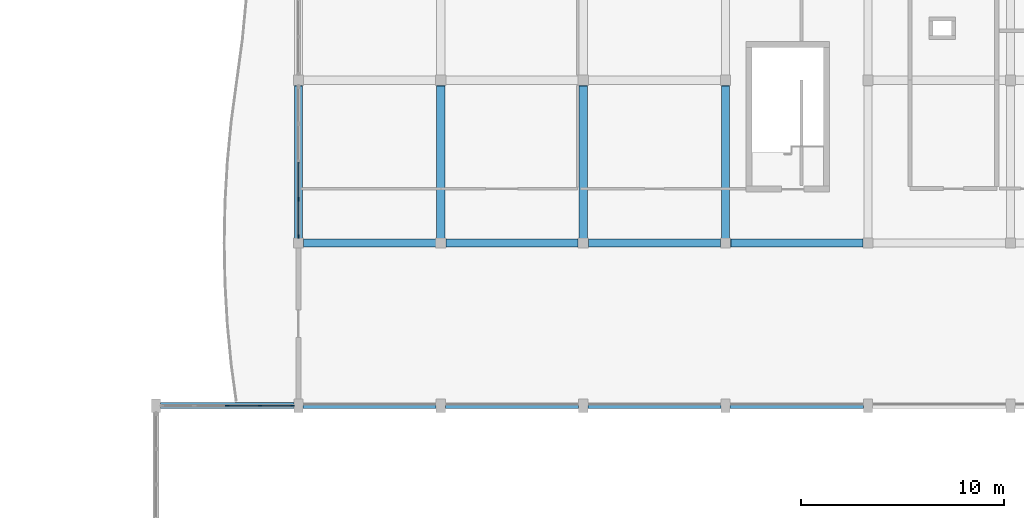
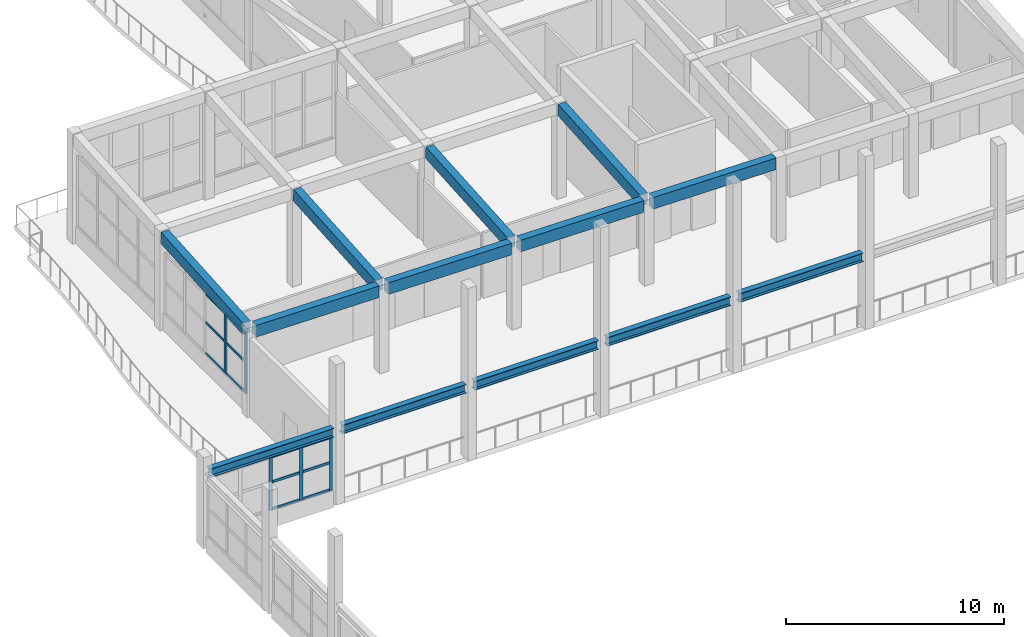
# One storey, part 31 of 89: 17 members, 13 beams, 2 elements without a shape of their own.
"""IFC4 building model written with IfcOpenShell, lengths in metres."""

from ifc_helpers import new_model, si_unit, direction, frame, origin, origin_2d, place, context, subcontext, project, spatial, rectangle, i_section, extrude, material, layer, layer_set, material_profile, profile_set, type_object, element, aggregate, save


model = new_model("IFC4")

# Units and contexts
model_context = context("Model", 3, precision=1e-05, world=origin(), true_north=direction((0.0, 1.0)))
body_context = subcontext(model_context, "Body", "Model", "MODEL_VIEW")
ifc_project = project(units=[si_unit("LENGTHUNIT", "METRE"), si_unit("AREAUNIT", "SQUARE_METRE"), si_unit("VOLUMEUNIT", "CUBIC_METRE"), si_unit("PLANEANGLEUNIT", "RADIAN"), si_unit("MASSUNIT", "GRAM", prefix="KILO")], contexts=[model_context])

# Site, building, storey
site_placement = place(None, origin())
site = spatial("IfcSite", under=ifc_project, at=site_placement, CompositionType="ELEMENT")
building_placement = place(site_placement, origin())
building = spatial("IfcBuilding", under=site, at=building_placement, Name="Tonlespit Floodbar School", CompositionType="ELEMENT")
storey_placement = place(building_placement, frame((0.0, 0.0, 4.5)))
storey = spatial("IfcBuildingStorey", under=building, at=storey_placement, Name="L01", CompositionType="ELEMENT", Elevation=4.5)

# Beams
ifc_material_1 = material(Name="Concrete C40/50", Category="concrete")
ifc_material_profile_1 = material_profile(ifc_material_1, rectangle(XDim=0.39990234375, YDim=0.64990234375, at=origin_2d()), Name="RC 400x650")
ifc_profile_set_1 = profile_set([ifc_material_profile_1], Name="Concrete C40/50")
beam_type_1 = type_object("IfcBeamType", Name="Beam_RC_400x650", PredefinedType="BEAM", material=ifc_profile_set_1)
for number, where, z_axis, x_axis, name in (
    (1, (134.25, 64.0, 4.6279296875), (0.999955916639, 0.0, -0.009389610095), (0.0, 1.0, 0.0), "L01 girder 0579"),
    (2, (141.25, 64.0, 4.56201171875), (0.999955916639, 0.0, -0.009389610095), (0.0, 1.0, 0.0), "L01 girder 0580"),
    (3, (148.25, 64.0, 4.496337890625), (0.999955563291, 0.0, -0.009427165204), (0.0, 1.0, 0.0), "L01 girder 0581"),
    (4, (155.25, 64.0, 4.430419921875), (0.999955563291, 0.0, -0.009427165204), (0.0, 1.0, 0.0), "L01 girder 0582"),
):
    element("IfcBeam", number, at=place(storey_placement, frame(where, z_axis=z_axis, x_axis=x_axis)), inside=storey, type_object=beam_type_1, Name=name, PredefinedType="BEAM", context=body_context, shape_type="SweptSolid", body=[
        extrude(rectangle(XDim=0.39990234375, YDim=0.64990234375, at=origin_2d()), origin(), (0.0, 0.0, 1.0), 6.500244140625),
    ])
for number, where, z_axis, x_axis, name in (
    (5, (134.0, 64.25, 4.648681640625), (0.0, 0.997333262526, 0.072981939263), (-1.0, 0.0, 0.0), "L01 girder 0746"),
    (6, (141.0, 64.25, 4.582763671875), (0.0, 0.997333262526, 0.072981939263), (-1.0, 0.0, 0.0), "L01 girder 0750"),
    (7, (148.0, 64.25, 4.516845703125), (0.0, 0.997333262526, 0.072981939263), (-1.0, 0.0, 0.0), "L01 girder 0754"),
    (8, (155.0, 64.25, 4.450927734375), (0.0, 0.997333262526, 0.072981939263), (-1.0, 0.0, 0.0), "L01 girder 0761"),
):
    element("IfcBeam", number, at=place(storey_placement, frame(where, z_axis=z_axis, x_axis=x_axis)), inside=storey, type_object=beam_type_1, Name=name, PredefinedType="BEAM", context=body_context, shape_type="SweptSolid", body=[
        extrude(rectangle(XDim=0.39990234375, YDim=0.64990234375, at=origin_2d()), origin(), (0.0, 0.0, 1.0), 7.52001953125),
    ])

# Curtain wall, members
ifc_material_2 = material(Name="Anodised Aluminium", Category="aluminium")
ifc_layer_1 = layer(ifc_material_2, 0.159912109375)
ifc_layer_set_1 = layer_set([ifc_layer_1], Name="Anodised Aluminium")
curtain_wall_type_1 = type_object("IfcCurtainWallType", Name="CurtainWall_6450x3000", PredefinedType="NOTDEFINED", material=ifc_layer_set_1)
curtain_wall_1_placement = place(storey_placement, origin())
curtain_wall_1 = element("IfcCurtainWall", 9, at=curtain_wall_1_placement, inside=storey, type_object=curtain_wall_type_1, Name="L01 unitised curtain wall 0331", PredefinedType="NOTDEFINED")
ifc_material_profile_2 = material_profile(ifc_material_2, rectangle(XDim=0.06494140625, YDim=0.179931640625, at=origin_2d()), Name="ALU M65x180")
ifc_profile_set_2 = profile_set([ifc_material_profile_2], Name="Anodised Aluminium")
member_type_1 = type_object("IfcMemberType", Name="CW_Mullion_65x180", PredefinedType="MULLION", material=ifc_profile_set_2)
member_1_placement = place(storey_placement, frame((130.5, 56.0, 0.68994140625), z_axis=(0.0, 0.0, 1.0), x_axis=(0.0, 1.0, 0.0)))
member_1 = element("IfcMember", 10, at=member_1_placement, type_object=member_type_1, Name="CW-49 mullion 3", PredefinedType="MULLION", context=body_context, shape_type="SweptSolid", body=[
    extrude(rectangle(XDim=0.06494140625, YDim=0.179931640625, at=origin_2d()), origin(), (0.0, 0.0, 1.0), 2.989990234375),
])
member_2_placement = place(storey_placement, frame((132.117431640625, 56.0, 0.68994140625), z_axis=(0.0, 0.0, 1.0), x_axis=(0.0, 1.0, 0.0)))
member_2 = element("IfcMember", 11, at=member_2_placement, type_object=member_type_1, Name="CW-49 mullion 4", PredefinedType="MULLION", context=body_context, shape_type="SweptSolid", body=[
    extrude(rectangle(XDim=0.06494140625, YDim=0.179931640625, at=origin_2d()), origin(), (0.0, 0.0, 1.0), 2.989990234375),
])
member_3_placement = place(storey_placement, frame((133.702392578125, 56.0, 0.68994140625), z_axis=(0.0, 0.0, 1.0), x_axis=(0.0, 1.0, 0.0)))
member_3 = element("IfcMember", 12, at=member_3_placement, type_object=member_type_1, Name="CW-49 mullion 5", PredefinedType="MULLION", context=body_context, shape_type="SweptSolid", body=[
    extrude(rectangle(XDim=0.06494140625, YDim=0.179931640625, at=origin_2d()), origin(), (0.0, 0.0, 1.0), 2.989990234375),
])

ifc_layer_2 = layer(ifc_material_2, 0.159912109375)
ifc_layer_set_2 = layer_set([ifc_layer_2], Name="Anodised Aluminium")
curtain_wall_type_2 = type_object("IfcCurtainWallType", Name="CurtainWall_7400x3350", PredefinedType="NOTDEFINED", material=ifc_layer_set_2)
curtain_wall_2_placement = place(storey_placement, origin())
curtain_wall_2 = element("IfcCurtainWall", 13, at=curtain_wall_2_placement, inside=storey, type_object=curtain_wall_type_2, Name="L01 unitised curtain wall 0335", PredefinedType="NOTDEFINED")
member_4_placement = place(storey_placement, frame((134.0, 64.322509765625, 0.949951171875), z_axis=(0.0, 0.0, 1.0), x_axis=(-1.0, 0.0, 0.0)))
member_4 = element("IfcMember", 14, at=member_4_placement, type_object=member_type_1, Name="CW-54 mullion 1", PredefinedType="MULLION", context=body_context, shape_type="SweptSolid", body=[
    extrude(rectangle(XDim=0.06494140625, YDim=0.179931640625, at=origin_2d()), origin(), (0.0, 0.0, 1.0), 3.373779296875),
])
member_5_placement = place(storey_placement, frame((134.0, 66.14501953125, 0.949951171875), z_axis=(0.0, 0.0, 1.0), x_axis=(-1.0, 0.0, 0.0)))
member_5 = element("IfcMember", 15, at=member_5_placement, type_object=member_type_1, Name="CW-54 mullion 2", PredefinedType="MULLION", context=body_context, shape_type="SweptSolid", body=[
    extrude(rectangle(XDim=0.06494140625, YDim=0.179931640625, at=origin_2d()), origin(), (0.0, 0.0, 1.0), 3.373779296875),
])

# Member
ifc_material_profile_3 = material_profile(ifc_material_2, rectangle(XDim=0.06494140625, YDim=0.139892578125, at=origin_2d()), Name="ALU T65x140")
ifc_profile_set_3 = profile_set([ifc_material_profile_3], Name="Anodised Aluminium")
member_type_2 = type_object("IfcMemberType", Name="CW_Transom_65x140", PredefinedType="USERDEFINED", material=ifc_profile_set_3)
member_6_placement = place(storey_placement, frame((130.532470703125, 56.0, 0.722412109375), z_axis=(1.0, 0.0, 0.0), x_axis=(0.0, 1.0, 0.0)))
member_6 = element("IfcMember", 16, at=member_6_placement, type_object=member_type_2, Name="CW-49 transom 3.1", ObjectType="TRANSOM", PredefinedType="USERDEFINED", context=body_context, shape_type="SweptSolid", body=[
    extrude(rectangle(XDim=0.06494140625, YDim=0.139892578125, at=origin_2d()), origin(), (0.0, 0.0, 1.0), 1.552490234375),
])

member_7_placement = place(storey_placement, frame((130.532470703125, 56.0, 2.244873046875), z_axis=(1.0, 0.0, 0.0), x_axis=(0.0, 1.0, 0.0)))
member_7 = element("IfcMember", 17, at=member_7_placement, type_object=member_type_2, Name="CW-49 transom 3.2", ObjectType="TRANSOM", PredefinedType="USERDEFINED", context=body_context, shape_type="SweptSolid", body=[
    extrude(rectangle(XDim=0.06494140625, YDim=0.139892578125, at=origin_2d()), origin(), (0.0, 0.0, 1.0), 1.552490234375),
])

member_8_placement = place(storey_placement, frame((130.532470703125, 56.0, 3.6474609375), z_axis=(1.0, 0.0, 0.0), x_axis=(0.0, 1.0, 0.0)))
member_8 = element("IfcMember", 18, at=member_8_placement, type_object=member_type_2, Name="CW-49 transom 3.3", ObjectType="TRANSOM", PredefinedType="USERDEFINED", context=body_context, shape_type="SweptSolid", body=[
    extrude(rectangle(XDim=0.06494140625, YDim=0.139892578125, at=origin_2d()), origin(), (0.0, 0.0, 1.0), 1.552490234375),
])

member_9_placement = place(storey_placement, frame((132.14990234375, 56.0, 0.722412109375), z_axis=(1.0, 0.0, 0.0), x_axis=(0.0, 1.0, 0.0)))
member_9 = element("IfcMember", 19, at=member_9_placement, type_object=member_type_2, Name="CW-49 transom 4.1", ObjectType="TRANSOM", PredefinedType="USERDEFINED", context=body_context, shape_type="SweptSolid", body=[
    extrude(rectangle(XDim=0.06494140625, YDim=0.139892578125, at=origin_2d()), origin(), (0.0, 0.0, 1.0), 1.52001953125),
])

member_10_placement = place(storey_placement, frame((132.14990234375, 56.0, 2.244873046875), z_axis=(1.0, 0.0, 0.0), x_axis=(0.0, 1.0, 0.0)))
member_10 = element("IfcMember", 20, at=member_10_placement, type_object=member_type_2, Name="CW-49 transom 4.2", ObjectType="TRANSOM", PredefinedType="USERDEFINED", context=body_context, shape_type="SweptSolid", body=[
    extrude(rectangle(XDim=0.06494140625, YDim=0.139892578125, at=origin_2d()), origin(), (0.0, 0.0, 1.0), 1.52001953125),
])

member_11_placement = place(storey_placement, frame((132.14990234375, 56.0, 3.6474609375), z_axis=(1.0, 0.0, 0.0), x_axis=(0.0, 1.0, 0.0)))
member_11 = element("IfcMember", 21, at=member_11_placement, type_object=member_type_2, Name="CW-49 transom 4.3", ObjectType="TRANSOM", PredefinedType="USERDEFINED", context=body_context, shape_type="SweptSolid", body=[
    extrude(rectangle(XDim=0.06494140625, YDim=0.139892578125, at=origin_2d()), origin(), (0.0, 0.0, 1.0), 1.52001953125),
])

aggregate(curtain_wall_1, [member_1, member_2, member_3, member_6, member_7, member_8, member_9, member_10, member_11])

member_12_placement = place(storey_placement, frame((134.0, 64.35498046875, 0.982421875), z_axis=(0.0, 1.0, 0.0), x_axis=(-1.0, 0.0, 0.0)))
member_12 = element("IfcMember", 22, at=member_12_placement, type_object=member_type_2, Name="CW-54 transom 1.1", ObjectType="TRANSOM", PredefinedType="USERDEFINED", context=body_context, shape_type="SweptSolid", body=[
    extrude(rectangle(XDim=0.06494140625, YDim=0.139892578125, at=origin_2d()), origin(), (0.0, 0.0, 1.0), 1.757568359375),
])

member_13_placement = place(storey_placement, frame((134.0, 64.35498046875, 2.704345703125), z_axis=(0.0, 1.0, 0.0), x_axis=(-1.0, 0.0, 0.0)))
member_13 = element("IfcMember", 23, at=member_13_placement, type_object=member_type_2, Name="CW-54 transom 1.2", ObjectType="TRANSOM", PredefinedType="USERDEFINED", context=body_context, shape_type="SweptSolid", body=[
    extrude(rectangle(XDim=0.06494140625, YDim=0.139892578125, at=origin_2d()), origin(), (0.0, 0.0, 1.0), 1.757568359375),
])

member_14_placement = place(storey_placement, frame((134.0, 64.35498046875, 4.291259765625), z_axis=(0.0, 1.0, 0.0), x_axis=(-1.0, 0.0, 0.0)))
member_14 = element("IfcMember", 24, at=member_14_placement, type_object=member_type_2, Name="CW-54 transom 1.3", ObjectType="TRANSOM", PredefinedType="USERDEFINED", context=body_context, shape_type="SweptSolid", body=[
    extrude(rectangle(XDim=0.06494140625, YDim=0.139892578125, at=origin_2d()), origin(), (0.0, 0.0, 1.0), 1.757568359375),
])

member_15_placement = place(storey_placement, frame((134.0, 66.177490234375, 0.982421875), z_axis=(0.0, 1.0, 0.0), x_axis=(-1.0, 0.0, 0.0)))
member_15 = element("IfcMember", 25, at=member_15_placement, type_object=member_type_2, Name="CW-54 transom 2.1", ObjectType="TRANSOM", PredefinedType="USERDEFINED", context=body_context, shape_type="SweptSolid", body=[
    extrude(rectangle(XDim=0.06494140625, YDim=0.139892578125, at=origin_2d()), origin(), (0.0, 0.0, 1.0), 1.7900390625),
])

member_16_placement = place(storey_placement, frame((134.0, 66.177490234375, 2.704345703125), z_axis=(0.0, 1.0, 0.0), x_axis=(-1.0, 0.0, 0.0)))
member_16 = element("IfcMember", 26, at=member_16_placement, type_object=member_type_2, Name="CW-54 transom 2.2", ObjectType="TRANSOM", PredefinedType="USERDEFINED", context=body_context, shape_type="SweptSolid", body=[
    extrude(rectangle(XDim=0.06494140625, YDim=0.139892578125, at=origin_2d()), origin(), (0.0, 0.0, 1.0), 1.7900390625),
])

member_17_placement = place(storey_placement, frame((134.0, 66.177490234375, 4.291259765625), z_axis=(0.0, 1.0, 0.0), x_axis=(-1.0, 0.0, 0.0)))
member_17 = element("IfcMember", 27, at=member_17_placement, type_object=member_type_2, Name="CW-54 transom 2.3", ObjectType="TRANSOM", PredefinedType="USERDEFINED", context=body_context, shape_type="SweptSolid", body=[
    extrude(rectangle(XDim=0.06494140625, YDim=0.139892578125, at=origin_2d()), origin(), (0.0, 0.0, 1.0), 1.7900390625),
])

aggregate(curtain_wall_2, [member_4, member_5, member_12, member_13, member_14, member_15, member_16, member_17])

# Beams
ifc_material_3 = material(Name="Steel S355", Category="steel")
ifc_material_profile_4 = material_profile(ifc_material_3, i_section(OverallWidth=0.300048828125, OverallDepth=0.489990234375, WebThickness=0.011962890625, FlangeThickness=0.02294921875, at=origin_2d()), Name="HEA 500")
ifc_profile_set_4 = profile_set([ifc_material_profile_4], Name="Steel S355")
beam_type_2 = type_object("IfcBeamType", Name="RingBeam_STL_HEA500", PredefinedType="BEAM", material=ifc_profile_set_4)
for number, where, z_axis, x_axis, name in (
    (28, (127.22509765625, 56.0, 3.955078125), (1.0, 0.0, 0.0), (0.0, 1.0, 0.0), "Gridshell perimeter ring girder Y=56 bay 1"),
    (29, (134.22509765625, 56.0, 3.955078125), (1.0, 0.0, 0.0), (0.0, 1.0, 0.0), "Gridshell perimeter ring girder Y=56 bay 2"),
    (30, (141.22509765625, 56.0, 3.955078125), (1.0, 0.0, 0.0), (0.0, 1.0, 0.0), "Gridshell perimeter ring girder Y=56 bay 3"),
    (31, (148.22509765625, 56.0, 3.955078125), (1.0, 0.0, 0.0), (0.0, 1.0, 0.0), "Gridshell perimeter ring girder Y=56 bay 4"),
    (32, (155.22509765625, 56.0, 3.955078125), (1.0, 0.0, 0.0), (0.0, 1.0, 0.0), "Gridshell perimeter ring girder Y=56 bay 5"),
):
    element("IfcBeam", number, at=place(storey_placement, frame(where, z_axis=z_axis, x_axis=x_axis)), inside=storey, type_object=beam_type_2, Name=name, PredefinedType="BEAM", context=body_context, shape_type="SweptSolid", body=[
        extrude(i_section(OverallWidth=0.300048828125, OverallDepth=0.489990234375, WebThickness=0.011962890625, FlangeThickness=0.02294921875, at=origin_2d()), origin(), (0.0, 0.0, 1.0), 6.5498046875),
    ])

save(model, "model.ifc")
